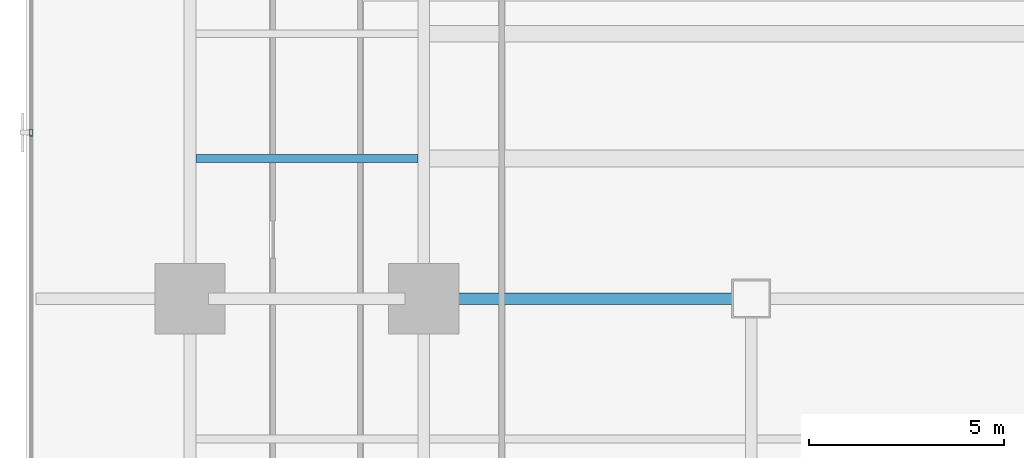
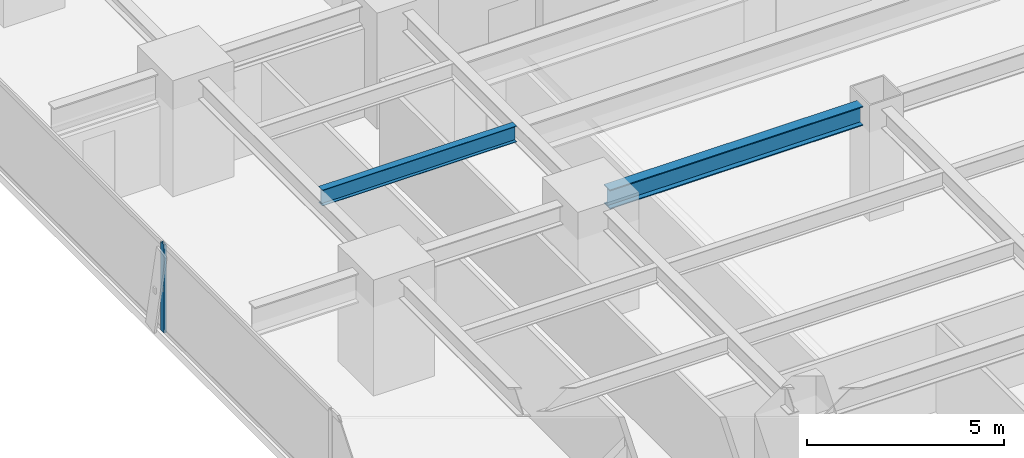
# One storey, part 9 of 34: 2 beams, 1 member, 1 element without a shape of its own.
"""IFC4 building model written with IfcOpenShell, lengths in metres."""

from ifc_helpers import new_model, si_unit, direction, frame, origin, origin_2d, place, context, subcontext, project, spatial, hollow_rectangle, i_section, extrude, source, transform, mapped, material, layer, layer_set, material_profile, profile_set, type_object, element, aggregate, save


model = new_model("IFC4")

# Units and contexts
model_context = context("Model", 3, precision=1e-05, world=origin(), true_north=direction((0.0, 1.0)))
body_context = subcontext(model_context, "Body", "Model", "MODEL_VIEW")
ifc_project = project(units=[si_unit("LENGTHUNIT", "METRE"), si_unit("AREAUNIT", "SQUARE_METRE"), si_unit("VOLUMEUNIT", "CUBIC_METRE"), si_unit("PLANEANGLEUNIT", "RADIAN"), si_unit("MASSUNIT", "GRAM", prefix="KILO")], contexts=[model_context])

# Site, building, storey
site_placement = place(None, origin())
site = spatial("IfcSite", under=ifc_project, at=site_placement, CompositionType="ELEMENT")
building_placement = place(site_placement, origin())
building = spatial("IfcBuilding", under=site, at=building_placement, Name="Sumidabori Civic Tower", CompositionType="ELEMENT")
storey_placement = place(building_placement, frame((0.0, 0.0, 41.60009765625)))
storey = spatial("IfcBuildingStorey", under=building, at=storey_placement, Name="L10", CompositionType="ELEMENT", Elevation=41.60009765625)

# Beams
ifc_material_1 = material(Name="Steel SN490", Category="steel")
ifc_material_profile_1 = material_profile(ifc_material_1, i_section(OverallWidth=0.300048828125, OverallDepth=0.60009765625, WebThickness=0.015380859375, FlangeThickness=0.030029296875, at=origin_2d()), Name="HE 600 B")
ifc_profile_set_1 = profile_set([ifc_material_profile_1], Name="Steel SN490")
beam_type_1 = type_object("IfcBeamType", Name="BM-GIRD-600", PredefinedType="BEAM", material=ifc_profile_set_1)
shared_shape_1 = source(origin(), body_context, "Body", "SweptSolid", [
    extrude(i_section(OverallWidth=0.300048828125, OverallDepth=0.60009765625, WebThickness=0.015380859375, FlangeThickness=0.030029296875, at=origin_2d()), origin(), (0.0, 0.0, 1.0), 7.440185546875),
])
beam_1_placement = place(storey_placement, frame((-16.320068359375, 0.0, 3.059814453125), z_axis=(1.0, 0.0, 0.0), x_axis=(0.0, 1.0, 0.0)))
element("IfcBeam", 1, at=beam_1_placement, inside=storey, type_object=beam_type_1, Name="Primary Girder L10 GX-14", PredefinedType="BEAM", context=body_context, shape_type="MappedRepresentation", body=[
    mapped(shared_shape_1, transform((0.0, 0.0, 0.0), x_axis=(1.0, 0.0, 0.0), y_axis=(0.0, 1.0, 0.0), z_axis=(0.0, 0.0, 1.0), scale=1.0)),
])
ifc_material_profile_2 = material_profile(ifc_material_1, i_section(OverallWidth=0.199951171875, OverallDepth=0.5, WebThickness=0.01025390625, FlangeThickness=0.01611328125, at=origin_2d()), Name="IPE 500")
ifc_profile_set_2 = profile_set([ifc_material_profile_2], Name="Steel SN490")
beam_type_2 = type_object("IfcBeamType", Name="BM-JST-500", PredefinedType="JOIST", material=ifc_profile_set_2)
shared_shape_2 = source(origin(), body_context, "Body", "SweptSolid", [
    extrude(i_section(OverallWidth=0.199951171875, OverallDepth=0.5, WebThickness=0.01025390625, FlangeThickness=0.01611328125, at=origin_2d()), origin(), (0.0, 0.0, 1.0), 5.699951171875),
])
beam_2_placement = place(storey_placement, frame((-22.64990234375, 3.60009765625, 3.10986328125), z_axis=(1.0, 0.0, 0.0), x_axis=(0.0, 1.0, 0.0)))
element("IfcBeam", 2, at=beam_2_placement, inside=storey, type_object=beam_type_2, Name="Outer Bay Floor Joist L10 JSTO-53", PredefinedType="JOIST", context=body_context, shape_type="MappedRepresentation", body=[
    mapped(shared_shape_2, transform((0.0, 0.0, 0.0), x_axis=(1.0, 0.0, 0.0), y_axis=(0.0, 1.0, 0.0), z_axis=(0.0, 0.0, 1.0), scale=1.0)),
])

# Curtain wall, member
ifc_material_2 = material(Name="Anodised Bronze Aluminium AW-6063-T6", Category="aluminium")
ifc_layer = layer(ifc_material_2, 0.179931640625, Name="Anodised Bronze Aluminium AW-6063-T6")
ifc_layer_set = layer_set([ifc_layer], Name="Anodised Bronze Aluminium AW-6063-T6")
curtain_wall_type = type_object("IfcCurtainWallType", Name="CW-SYS-2", PredefinedType="NOTDEFINED", material=ifc_layer_set)
curtain_wall_placement = place(storey_placement, origin())
curtain_wall = element("IfcCurtainWall", 3, at=curtain_wall_placement, inside=storey, type_object=curtain_wall_type, Name="Curtain Wall CW:L10:R10", PredefinedType="NOTDEFINED")
ifc_material_profile_3 = material_profile(ifc_material_2, hollow_rectangle(XDim=0.070068359375, YDim=0.179931640625, WallThickness=0.006103515625, at=origin_2d()), Name="ALU MULLION 180x70")
ifc_profile_set_3 = profile_set([ifc_material_profile_3], Name="Anodised Bronze Aluminium AW-6063-T6")
member_type = type_object("IfcMemberType", Name="CW-MUL-180", PredefinedType="MULLION", material=ifc_profile_set_3)
shared_shape_3 = source(origin(), body_context, "Body", "SweptSolid", [
    extrude(hollow_rectangle(XDim=0.070068359375, YDim=0.179931640625, WallThickness=0.006103515625, at=origin_2d()), origin(), (0.0, 0.0, 1.0), 2.739990234375),
])
member_placement = place(storey_placement, frame((-26.8798828125, 4.263916015625, 0.0), z_axis=(0.0, 0.0, 1.0), x_axis=(1.0, 0.0, 0.0)))
member = element("IfcMember", 4, at=member_placement, type_object=member_type, Name="CW-2 mullion 3", PredefinedType="MULLION", context=body_context, shape_type="MappedRepresentation", body=[
    mapped(shared_shape_3, transform((0.0, 0.0, 0.0), x_axis=(1.0, 0.0, 0.0), y_axis=(0.0, 1.0, 0.0), z_axis=(0.0, 0.0, 1.0), scale=1.0)),
])
aggregate(curtain_wall, [member])

save(model, "model.ifc")
